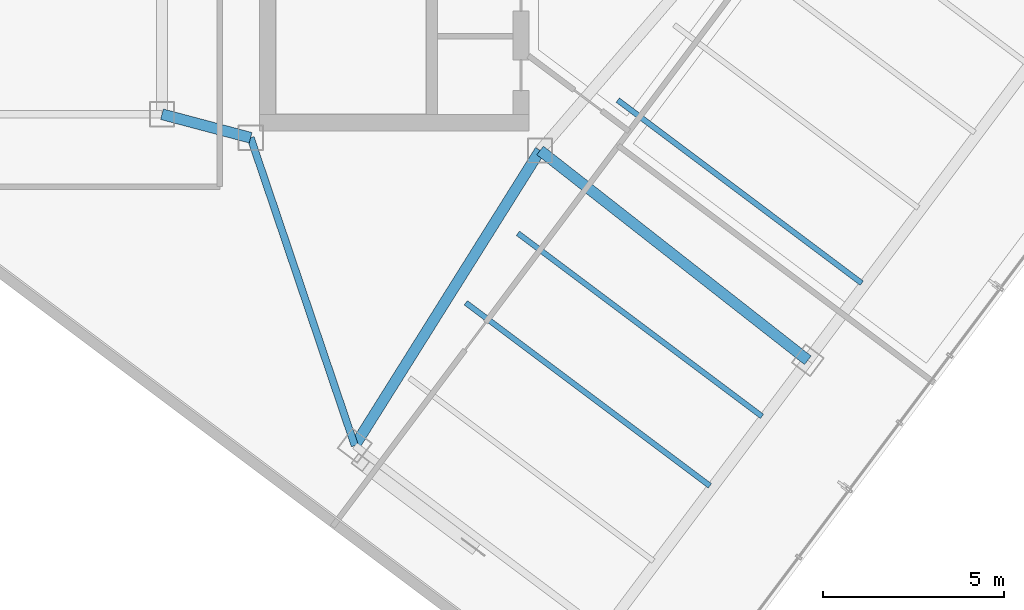
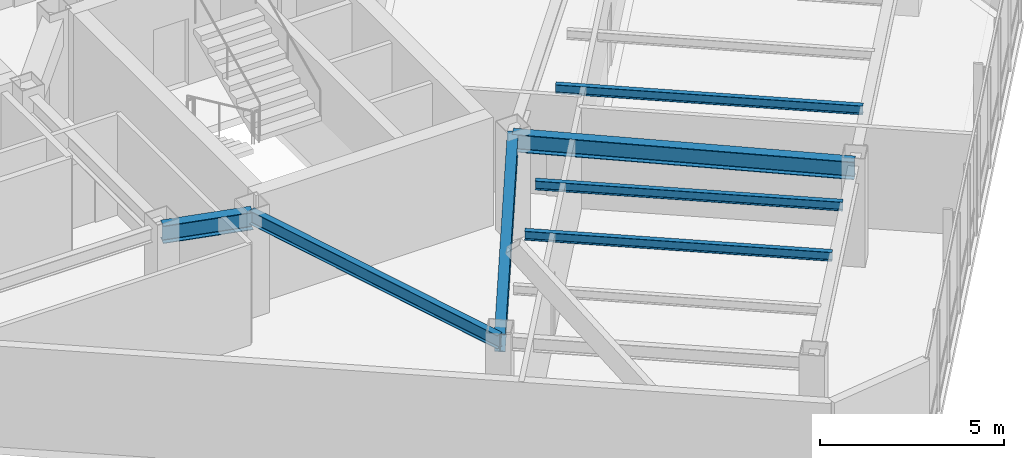
# One storey, part 3 of 25: 7 beams.
"""IFC4 building model written with IfcOpenShell, lengths in metres."""

from ifc_helpers import new_model, si_unit, direction, frame, origin, origin_2d, place, context, subcontext, project, spatial, i_section, extrude, material, material_profile, profile_set, type_object, element, save


model = new_model("IFC4")

# Units and contexts
model_context = context("Model", 3, precision=1e-05, world=origin(), true_north=direction((0.0, 1.0)))
body_context = subcontext(model_context, "Body", "Model", "MODEL_VIEW")
ifc_project = project(units=[si_unit("LENGTHUNIT", "METRE"), si_unit("AREAUNIT", "SQUARE_METRE"), si_unit("VOLUMEUNIT", "CUBIC_METRE"), si_unit("PLANEANGLEUNIT", "RADIAN"), si_unit("MASSUNIT", "GRAM", prefix="KILO")], contexts=[model_context])

# Site, building, storey
site_placement = place(None, origin())
site = spatial("IfcSite", under=ifc_project, at=site_placement, CompositionType="ELEMENT")
building_placement = place(site_placement, origin())
building = spatial("IfcBuilding", under=site, at=building_placement, Name="Hatsunagi Terrace Concourse", CompositionType="ELEMENT")
storey_placement = place(building_placement, frame((0.0, 0.0, 216.75)))
storey = spatial("IfcBuildingStorey", under=building, at=storey_placement, Name="L57", CompositionType="ELEMENT", Elevation=216.75)

# Beams
ifc_material_1 = material(Name="Steel SN490B", Category="steel")
ifc_material_profile_1 = material_profile(ifc_material_1, i_section(OverallWidth=0.300048828125, OverallDepth=0.587890625, WebThickness=0.011962890625, FlangeThickness=0.02001953125, FilletRadius=0.01806640625, at=origin_2d()), Name="H-588x300x12x20")
ifc_profile_set_1 = profile_set([ifc_material_profile_1], Name="Steel SN490B")
beam_type_1 = type_object("IfcBeamType", Name="OfficeHighGirder_H_588x300", PredefinedType="BEAM", material=ifc_profile_set_1)
beam_1_placement = place(storey_placement, frame((33.35009765625, 25.199951171875, 3.055908203125), z_axis=(0.966569840116, -0.256403479262, 0.0), x_axis=(0.256403479262, 0.966569840116, 0.0)))
element("IfcBeam", 1, at=beam_1_placement, inside=storey, type_object=beam_type_1, Name="Beam G-06 BM-L57-K2CB", PredefinedType="BEAM", context=body_context, shape_type="SweptSolid", body=[
    extrude(i_section(OverallWidth=0.300048828125, OverallDepth=0.587890625, WebThickness=0.011962890625, FlangeThickness=0.02001953125, FilletRadius=0.01806640625, at=origin_2d()), origin(), (0.0, 0.0, 1.0), 2.53466796875),
])
beam_2_placement = place(storey_placement, frame((38.679931640625, 16.0400390625, 3.055908203125), z_axis=(0.531503907049, 0.847055840421, 0.0), x_axis=(-0.847055840421, 0.531503907049, 0.0)))
element("IfcBeam", 2, at=beam_2_placement, inside=storey, type_object=beam_type_1, Name="Beam G-06 BM-L57-SET-1A", PredefinedType="BEAM", context=body_context, shape_type="SweptSolid", body=[
    extrude(i_section(OverallWidth=0.300048828125, OverallDepth=0.587890625, WebThickness=0.011962890625, FlangeThickness=0.02001953125, FilletRadius=0.01806640625, at=origin_2d()), origin(), (0.0, 0.0, 1.0), 9.63330078125),
])
beam_3_placement = place(storey_placement, frame((43.800048828125, 24.199951171875, 3.055908203125), z_axis=(0.787049441068, -0.616889923175, 0.0), x_axis=(0.616889923175, 0.787049441068, 0.0)))
element("IfcBeam", 3, at=beam_3_placement, inside=storey, type_object=beam_type_1, Name="Beam G-06 BM-L57-SE-M2", PredefinedType="BEAM", context=body_context, shape_type="SweptSolid", body=[
    extrude(i_section(OverallWidth=0.300048828125, OverallDepth=0.587890625, WebThickness=0.011962890625, FlangeThickness=0.02001953125, FilletRadius=0.01806640625, at=origin_2d()), origin(), (0.0, 0.0, 1.0), 9.402099609375),
])
ifc_material_2 = material(Name="Steel SN490B", Category="steel")
ifc_material_profile_2 = material_profile(ifc_material_2, i_section(OverallWidth=0.14990234375, OverallDepth=0.300048828125, WebThickness=0.006591796875, FlangeThickness=0.009033203125, FilletRadius=0.010986328125, at=origin_2d()), Name="H-300x150x6.5x9")
ifc_profile_set_2 = profile_set([ifc_material_profile_2], Name="Steel SN490B")
beam_type_2 = type_object("IfcBeamType", Name="OfficeJoist_H_300x150", PredefinedType="JOIST", material=ifc_profile_set_2)
for number, where, z_axis, x_axis, name in (
    (4, (41.748046875, 19.989013671875, 3.199951171875), (0.799989573921, -0.600013901187, 0.0), (0.600013901187, 0.799989573921, 0.0), "Beam J-03 J-L57-SE-2-72"),
    (5, (43.18798828125, 21.908935546875, 3.199951171875), (0.800003475366, -0.59999536615, 0.0), (0.59999536615, 0.800003475366, 0.0), "Beam J-03 J-L57-SE-2-96"),
    (6, (45.947998046875, 25.589111328125, 3.199951171875), (0.799989573921, -0.600013901187, 0.0), (0.600013901187, 0.799989573921, 0.0), "Beam J-03 J-L57-SE-2-142"),
):
    element("IfcBeam", number, at=place(storey_placement, frame(where, z_axis=z_axis, x_axis=x_axis)), inside=storey, type_object=beam_type_2, Name=name, PredefinedType="JOIST", context=body_context, shape_type="SweptSolid", body=[
        extrude(i_section(OverallWidth=0.14990234375, OverallDepth=0.300048828125, WebThickness=0.006591796875, FlangeThickness=0.009033203125, FilletRadius=0.010986328125, at=origin_2d()), origin(), (0.0, 0.0, 1.0), 8.429931640625),
    ])
ifc_material_3 = material(Name="Steel SN490B", Category="steel")
ifc_material_profile_3 = material_profile(ifc_material_3, i_section(OverallWidth=0.199951171875, OverallDepth=0.449951171875, WebThickness=0.009033203125, FlangeThickness=0.013916015625, FilletRadius=0.01611328125, at=origin_2d()), Name="H-450x200x9x14")
ifc_profile_set_3 = profile_set([ifc_material_profile_3], Name="Steel SN490B")
beam_type_3 = type_object("IfcBeamType", Name="PerimeterSpandrel_H_450x200", PredefinedType="SPANDREL", material=ifc_profile_set_3)
beam_4_placement = place(storey_placement, frame((35.800048828125, 24.550048828125, 3.125), z_axis=(0.320553412271, -0.947230441805, 0.0), x_axis=(0.947230441805, 0.320553412271, 0.0)))
element("IfcBeam", 7, at=beam_4_placement, inside=storey, type_object=beam_type_3, Name="Beam SP-02 BM-L57-SE-SW0", PredefinedType="SPANDREL", context=body_context, shape_type="SweptSolid", body=[
    extrude(i_section(OverallWidth=0.199951171875, OverallDepth=0.449951171875, WebThickness=0.009033203125, FlangeThickness=0.013916015625, FilletRadius=0.01611328125, at=origin_2d()), origin(), (0.0, 0.0, 1.0), 8.984130859375),
])

save(model, "model.ifc")
